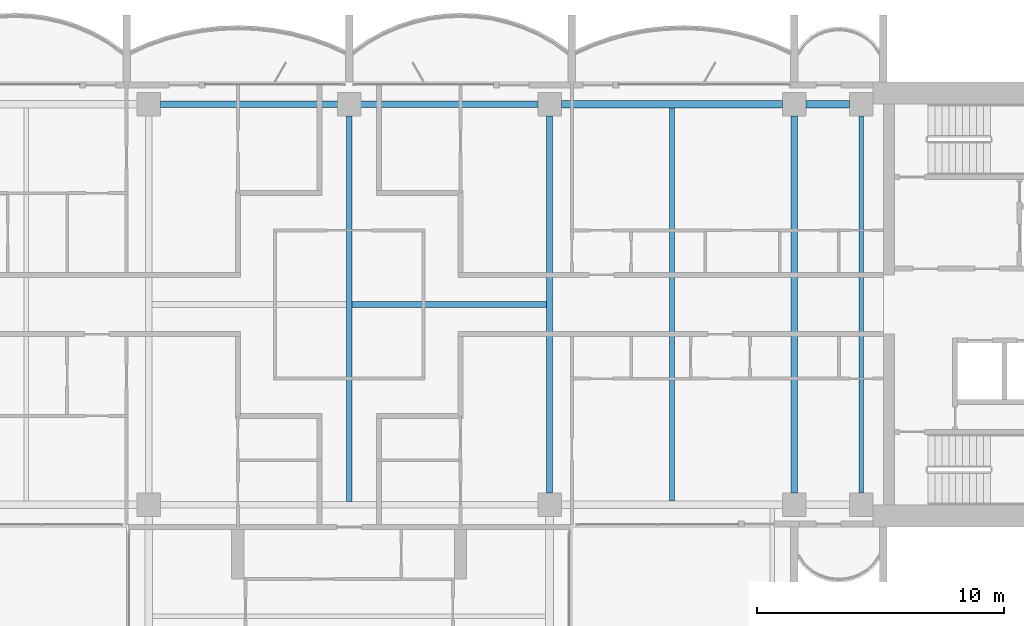
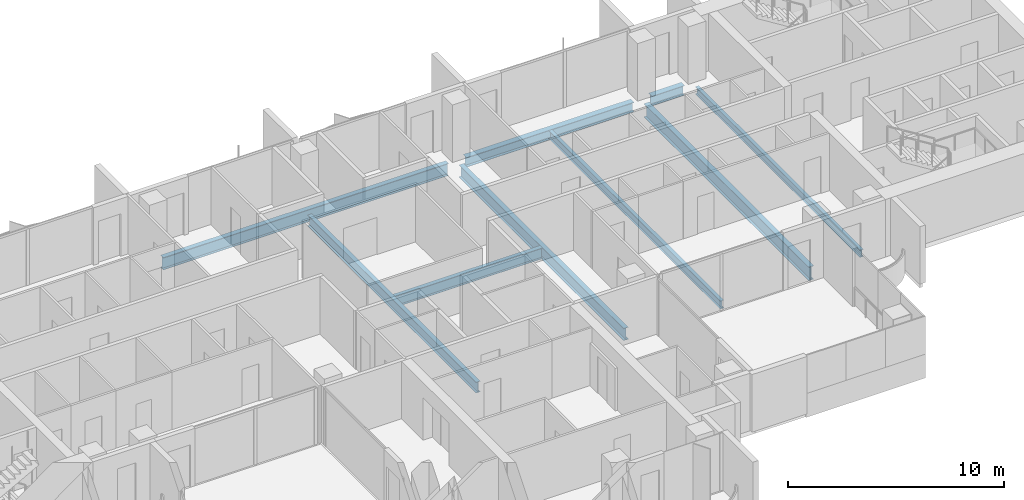
# One storey, part 4 of 17: 9 beams.
"""IFC4 building model written with IfcOpenShell, lengths in metres."""

import ifcopenshell
import ifcopenshell.guid

model = None  # the IFC model being written
_history = None  # IfcOwnerHistory: only IFC2X3 demands one
_inside = {}  # id of a spatial element -> (the spatial element, [elements in it])
_under = {}  # id of a project, library or spatial element -> (it, [spatial elements below it])
_declared = {}  # id of a project -> (the project, [libraries it declares])
_typed = {}  # id of a type object -> (the type object, [elements of that type])
_made_of = {}  # id of a material, layer set ... -> (it, [elements and type objects made of it])


def new_model(schema):
    """Start an empty IFC model of exactly this schema.

    Asked for "IFC4X3", IfcOpenShell would pick the latest addendum, in which some entities
    have other attributes; the version numbers below select the first issue.
    IFC2X3 requires an IfcOwnerHistory on every rooted entity: one is made here for all.
    """
    global model, _history
    if schema == "IFC4X3":
        model = ifcopenshell.file(schema_version=(4, 3, 0, 0))
    else:
        model = ifcopenshell.file(schema=schema)
    _inside.clear()
    _under.clear()
    _declared.clear()
    _typed.clear()
    _made_of.clear()
    _history = None
    if model.schema == "IFC2X3":
        org = make("IfcOrganization", Name="unknown")
        user = make(
            "IfcPersonAndOrganization",
            ThePerson=make("IfcPerson", FamilyName="unknown"),
            TheOrganization=org,
        )
        app = make(
            "IfcApplication",
            ApplicationDeveloper=org,
            Version="unknown",
            ApplicationFullName="unknown",
            ApplicationIdentifier="unknown",
        )
        _history = make(
            "IfcOwnerHistory",
            OwningUser=user,
            OwningApplication=app,
            ChangeAction="ADDED",
            CreationDate=0,
        )
    return model


def make(cls, **values):
    """One entity of the class cls with the attributes given. An attribute that is None is left unset."""
    return model.create_entity(
        cls, **{name: value for name, value in values.items() if value is not None}
    )


def rooted(cls, **values):
    """An entity with a GlobalId (a new one), such as an element, a storey or a relation."""
    return make(cls, GlobalId=ifcopenshell.guid.new(), OwnerHistory=_history, **values)


def si_unit(unit_type, name, prefix=None):
    """IfcSIUnit, for example si_unit("LENGTHUNIT", "METRE", prefix="MILLI")."""
    return make("IfcSIUnit", UnitType=unit_type, Prefix=prefix, Name=name)


def assignment(units):
    """IfcUnitAssignment: the units of a project."""
    return None if units is None else make("IfcUnitAssignment", Units=units)


def point(xyz):
    """IfcCartesianPoint."""
    return None if xyz is None else make("IfcCartesianPoint", Coordinates=xyz)


def direction(xyz):
    """IfcDirection."""
    return None if xyz is None else make("IfcDirection", DirectionRatios=xyz)


def frame(location, z_axis=None, x_axis=None):
    """IfcAxis2Placement3D, a coordinate frame: its origin and axes. An axis left out is left unset."""
    return make(
        "IfcAxis2Placement3D",
        Location=point(location),
        Axis=direction(z_axis),
        RefDirection=direction(x_axis),
    )


def frame_2d(location, x_axis=None):
    """IfcAxis2Placement2D, a coordinate frame in the plane: its origin and x axis."""
    return make(
        "IfcAxis2Placement2D", Location=point(location), RefDirection=direction(x_axis)
    )


def origin():
    """The frame at (0, 0, 0) with its axes left unset."""
    return frame((0.0, 0.0, 0.0))


def origin_2d():
    """The frame at (0, 0) in the plane with its x axis left unset."""
    return frame_2d((0.0, 0.0))


def place(relative_to, where):
    """IfcLocalPlacement: puts the frame where relative to a parent placement (None: the world)."""
    return make(
        "IfcLocalPlacement", PlacementRelTo=relative_to, RelativePlacement=where
    )


def context(
    kind, dimensions, precision=None, world=None, true_north=None, identifier=None
):
    """IfcGeometricRepresentationContext, for example the 3D "Model" context."""
    return make(
        "IfcGeometricRepresentationContext",
        ContextIdentifier=identifier,
        ContextType=kind,
        CoordinateSpaceDimension=dimensions,
        Precision=precision,
        WorldCoordinateSystem=world,
        TrueNorth=true_north,
    )


def subcontext(parent, identifier, kind, view, scale=None):
    """IfcGeometricRepresentationSubContext, for example "Body" below "Model"."""
    return make(
        "IfcGeometricRepresentationSubContext",
        ContextIdentifier=identifier,
        ContextType=kind,
        ParentContext=parent,
        TargetScale=scale,
        TargetView=view,
    )


def project(units=None, contexts=None):
    """IfcProject with its units and contexts."""
    return rooted(
        "IfcProject",
        Name="project",
        RepresentationContexts=contexts,
        UnitsInContext=assignment(units),
    )


def spatial(cls, under=None, at=None, **own):
    """A site, building, storey or space (cls), placed at a placement, below another one or the project."""
    s = rooted(cls, ObjectPlacement=at, **own)
    if under is not None:
        _under.setdefault(under.id(), (under, []))[1].append(s)
    return s


def profile(cls, at=None, kind="AREA", **sizes):
    """A parametric profile (cls). Its sizes go by their IFC names, for example OverallWidth=200.0."""
    return make(cls, ProfileType=kind, Position=at, **sizes)


def i_section(**sizes):
    """IfcIShapeProfileDef."""
    return profile("IfcIShapeProfileDef", **sizes)


def extrude(swept, where, along, depth):
    """IfcExtrudedAreaSolid: the profile swept, set in the frame where, extruded along a direction by depth."""
    return make(
        "IfcExtrudedAreaSolid",
        SweptArea=swept,
        Position=where,
        ExtrudedDirection=direction(along),
        Depth=depth,
    )


def shape(context_of_items, identifier, shape_type, items):
    """IfcShapeRepresentation: the items that make up one representation, for example the "Body"."""
    return make(
        "IfcShapeRepresentation",
        ContextOfItems=context_of_items,
        RepresentationIdentifier=identifier,
        RepresentationType=shape_type,
        Items=items,
    )


def material(Name=None, Category=None):
    """IfcMaterial."""
    return make("IfcMaterial", Name=Name, Category=Category)


def material_profile(
    of_material, cross_section, Name=None, Category=None, Priority=None
):
    """IfcMaterialProfile: a cross section and its material."""
    return make(
        "IfcMaterialProfile",
        Name=Name,
        Material=of_material,
        Profile=cross_section,
        Priority=Priority,
        Category=Category,
    )


def profile_set(profiles, Name=None, composite=None):
    """IfcMaterialProfileSet."""
    return make(
        "IfcMaterialProfileSet",
        Name=Name,
        MaterialProfiles=profiles,
        CompositeProfile=composite,
    )


def made_of(thing, what):
    """Note that an element or type object is made of a material, layer set ...; save() writes the relation."""
    if what is not None:
        _made_of.setdefault(what.id(), (what, []))[1].append(thing)
    return thing


def type_object(cls, material=None, **own):
    """A type object (cls), such as IfcWallType, which elements share."""
    return made_of(rooted(cls, **own), material)


def element(
    cls,
    number,
    at=None,
    inside=None,
    cuts=None,
    type_object=None,
    material=None,
    context=None,
    identifier="Body",
    shape_type=None,
    held_by="IfcProductDefinitionShape",
    body=None,
    shapes=None,
    **own,
):
    """One element of the class cls, such as IfcWall. Its Tag is "e" and its number.

    at: its placement. inside: the storey or other place that contains it. cuts: it is an
    opening in that element (IfcRelVoidsElement). A single representation is given by context,
    identifier, shape_type and body (its items); several are given by shapes. held_by: the class
    of the entity that holds the representations. save() writes the other relations.
    """
    e = rooted(cls, Tag="e%d" % number, ObjectPlacement=at, **own)
    if body is not None:
        shapes = [shape(context, identifier, shape_type, body)]
    if shapes is not None:
        e.Representation = make(held_by, Representations=shapes)
    if inside is not None:
        _inside.setdefault(inside.id(), (inside, []))[1].append(e)
    if cuts is not None:
        rooted(
            "IfcRelVoidsElement", RelatingBuildingElement=cuts, RelatedOpeningElement=e
        )
    if type_object is not None:
        _typed.setdefault(type_object.id(), (type_object, []))[1].append(e)
    return made_of(e, material)


def aggregate(whole, parts):
    """IfcRelAggregates: a whole, such as a stair, and the parts it consists of."""
    return rooted("IfcRelAggregates", RelatingObject=whole, RelatedObjects=parts)


def save(model, path):
    """Write the relations noted so far, then the file.

    IfcRelAggregates (storeys below a building ...), IfcRelContainedInSpatialStructure (elements
    in a storey), IfcRelDefinesByType, IfcRelAssociatesMaterial and IfcRelDeclares: one each for
    every whole, place, type object, material and project.
    """
    for whole, parts in _under.values():
        aggregate(whole, parts)
    for where, things in _inside.values():
        rooted(
            "IfcRelContainedInSpatialStructure",
            RelatedElements=things,
            RelatingStructure=where,
        )
    for kind, things in _typed.values():
        rooted("IfcRelDefinesByType", RelatedObjects=things, RelatingType=kind)
    for what, things in _made_of.values():
        rooted("IfcRelAssociatesMaterial", RelatedObjects=things, RelatingMaterial=what)
    for by, libraries in _declared.values():
        rooted("IfcRelDeclares", RelatingContext=by, RelatedDefinitions=libraries)
    model.write(path)


model = new_model("IFC4")

# Units and contexts
model_context = context("Model", 3, precision=1e-05, world=origin(), true_north=direction((0.0, 1.0)))
body_context = subcontext(model_context, "Body", "Model", "MODEL_VIEW")
ifc_project = project(units=[si_unit("LENGTHUNIT", "METRE"), si_unit("AREAUNIT", "SQUARE_METRE"), si_unit("VOLUMEUNIT", "CUBIC_METRE"), si_unit("PLANEANGLEUNIT", "RADIAN"), si_unit("MASSUNIT", "GRAM", prefix="KILO")], contexts=[model_context])

# Site, building, storey
site_placement = place(None, origin())
site = spatial("IfcSite", under=ifc_project, at=site_placement, CompositionType="ELEMENT")
building_placement = place(site_placement, origin())
building = spatial("IfcBuilding", under=site, at=building_placement, Name="Perihelion Cross Residences", CompositionType="ELEMENT")
storey_placement = place(building_placement, frame((0.0, 0.0, 194.60009765625)))
storey = spatial("IfcBuildingStorey", under=building, at=storey_placement, Name="L48", CompositionType="ELEMENT", Elevation=194.60009765625)

# Beams
ifc_material_1 = material(Name="Steel S355", Category="steel")
ifc_material_profile_1 = material_profile(ifc_material_1, i_section(OverallWidth=0.180908203125, OverallDepth=0.4169921875, WebThickness=0.010986328125, FlangeThickness=0.018310546875, at=origin_2d()), Name="W410x85")
ifc_profile_set_1 = profile_set([ifc_material_profile_1], Name="Steel S355")
beam_type_1 = type_object("IfcBeamType", Name="Core edge beam W410x85", PredefinedType="BEAM", material=ifc_profile_set_1)
beam_1_placement = place(storey_placement, frame((20.699951171875, -7.625, -0.45849609375), z_axis=(0.0, 1.0, 0.0), x_axis=(-1.0, 0.0, 0.0)))
element("IfcBeam", 1, at=beam_1_placement, inside=storey, type_object=beam_type_1, Name="Core edge beam TB6 L48 no. 2", PredefinedType="BEAM", context=body_context, shape_type="SweptSolid", body=[
    extrude(i_section(OverallWidth=0.180908203125, OverallDepth=0.4169921875, WebThickness=0.010986328125, FlangeThickness=0.018310546875, at=origin_2d()), origin(), (0.0, 0.0, 1.0), 15.25),
])
ifc_material_2 = material(Name="Steel S355", Category="steel")
ifc_material_profile_2 = material_profile(ifc_material_2, i_section(OverallWidth=0.31201171875, OverallDepth=0.5439453125, WebThickness=0.0126953125, FlangeThickness=0.020263671875, at=origin_2d()), Name="W530x150")
ifc_profile_set_2 = profile_set([ifc_material_profile_2], Name="Steel S355")
beam_type_2 = type_object("IfcBeamType", Name="Edge beam W530x150", PredefinedType="SPANDREL", material=ifc_profile_set_2)
beam_2_placement = place(storey_placement, frame((20.22509765625, 8.10009765625, -0.522216796875), z_axis=(-1.0, 0.0, 0.0), x_axis=(0.0, -1.0, 0.0)))
element("IfcBeam", 2, at=beam_2_placement, inside=storey, type_object=beam_type_2, Name="Edge beam SB4 L48 no. 10", PredefinedType="SPANDREL", context=body_context, shape_type="SweptSolid", body=[
    extrude(i_section(OverallWidth=0.31201171875, OverallDepth=0.5439453125, WebThickness=0.0126953125, FlangeThickness=0.020263671875, at=origin_2d()), origin(), (0.0, 0.0, 1.0), 1.75),
])
beam_3_placement = place(storey_placement, frame((17.52490234375, 8.10009765625, -0.522216796875), z_axis=(-1.0, 0.0, 0.0), x_axis=(0.0, -1.0, 0.0)))
element("IfcBeam", 3, at=beam_3_placement, inside=storey, type_object=beam_type_2, Name="Edge beam SB4 L48 no. 9", PredefinedType="SPANDREL", context=body_context, shape_type="SweptSolid", body=[
    extrude(i_section(OverallWidth=0.31201171875, OverallDepth=0.5439453125, WebThickness=0.0126953125, FlangeThickness=0.020263671875, at=origin_2d()), origin(), (0.0, 0.0, 1.0), 8.949951171875),
])
ifc_material_3 = material(Name="Steel S355", Category="steel")
ifc_material_profile_3 = material_profile(ifc_material_3, i_section(OverallWidth=0.26708984375, OverallDepth=0.77001953125, WebThickness=0.015625, FlangeThickness=0.025390625, at=origin_2d()), Name="W760x196")
ifc_profile_set_3 = profile_set([ifc_material_profile_3], Name="Steel S355")
beam_type_3 = type_object("IfcBeamType", Name="Floor girder W760x196", PredefinedType="BEAM", material=ifc_profile_set_3)
beam_4_placement = place(storey_placement, frame((18.0, -7.625, -0.635009765625), z_axis=(0.0, 1.0, 0.0), x_axis=(-1.0, 0.0, 0.0)))
element("IfcBeam", 4, at=beam_4_placement, inside=storey, type_object=beam_type_3, Name="Girder G4 L48 no. 2", PredefinedType="BEAM", context=body_context, shape_type="SweptSolid", body=[
    extrude(i_section(OverallWidth=0.26708984375, OverallDepth=0.77001953125, WebThickness=0.015625, FlangeThickness=0.025390625, at=origin_2d()), origin(), (0.0, 0.0, 1.0), 15.25),
])
ifc_material_4 = material(Name="Steel S355", Category="steel")
ifc_material_profile_4 = material_profile(ifc_material_4, i_section(OverallWidth=0.19091796875, OverallDepth=0.45703125, WebThickness=0.009033203125, FlangeThickness=0.014404296875, at=origin_2d()), Name="W460x74")
ifc_profile_set_4 = profile_set([ifc_material_profile_4], Name="Steel S355")
beam_type_4 = type_object("IfcBeamType", Name="Floor joist W460x74", PredefinedType="JOIST", material=ifc_profile_set_4)
beam_5_placement = place(storey_placement, frame((13.050048828125, -7.944091796875, -0.478515625), z_axis=(0.0, 1.0, 0.0), x_axis=(-1.0, 0.0, 0.0)))
element("IfcBeam", 5, at=beam_5_placement, inside=storey, type_object=beam_type_4, Name="Joist J5 L48 no. 2", PredefinedType="JOIST", context=body_context, shape_type="SweptSolid", body=[
    extrude(i_section(OverallWidth=0.19091796875, OverallDepth=0.45703125, WebThickness=0.009033203125, FlangeThickness=0.014404296875, at=origin_2d()), origin(), (0.0, 0.0, 1.0), 15.88818359375),
])
ifc_material_5 = material(Name="Steel S355", Category="steel")
ifc_material_profile_5 = material_profile(ifc_material_5, i_section(OverallWidth=0.22900390625, OverallDepth=0.612060546875, WebThickness=0.011962890625, FlangeThickness=0.01953125, at=origin_2d()), Name="W610x125")
ifc_profile_set_5 = profile_set([ifc_material_profile_5], Name="Steel S355")
beam_type_5 = type_object("IfcBeamType", Name="Hub cross beam W610x125", PredefinedType="BEAM", material=ifc_profile_set_5)
beam_6_placement = place(storey_placement, frame((0.0, -7.971435546875, -0.55615234375), z_axis=(0.0, 1.0, 0.0), x_axis=(-1.0, 0.0, 0.0)))
element("IfcBeam", 6, at=beam_6_placement, inside=storey, type_object=beam_type_5, Name="Hub cross beam XB4 L48 no. 1", PredefinedType="BEAM", context=body_context, shape_type="SweptSolid", body=[
    extrude(i_section(OverallWidth=0.22900390625, OverallDepth=0.612060546875, WebThickness=0.011962890625, FlangeThickness=0.01953125, at=origin_2d()), origin(), (0.0, 0.0, 1.0), 15.596435546875),
])
beam_7_placement = place(storey_placement, frame((0.114501953125, 0.0, -0.55615234375), z_axis=(1.0, 0.0, 0.0), x_axis=(0.0, 1.0, 0.0)))
element("IfcBeam", 7, at=beam_7_placement, inside=storey, type_object=beam_type_5, Name="Hub cross beam XB4 L48 2 no. 1", PredefinedType="BEAM", context=body_context, shape_type="SweptSolid", body=[
    extrude(i_section(OverallWidth=0.22900390625, OverallDepth=0.612060546875, WebThickness=0.011962890625, FlangeThickness=0.01953125, at=origin_2d()), origin(), (0.0, 0.0, 1.0), 7.85693359375),
])
ifc_material_6 = material(Name="Steel S355", Category="steel")
ifc_material_profile_6 = material_profile(ifc_material_6, i_section(OverallWidth=0.257080078125, OverallDepth=0.693115234375, WebThickness=0.014404296875, FlangeThickness=0.023681640625, at=origin_2d()), Name="W690x170")
ifc_profile_set_6 = profile_set([ifc_material_profile_6], Name="Steel S355")
beam_type_6 = type_object("IfcBeamType", Name="Hub ring girder W690x170", PredefinedType="BEAM", material=ifc_profile_set_6)
for number, where, z_axis, x_axis, name in (
    (8, (8.10009765625, -7.625, -0.5966796875), (0.0, 1.0, 0.0), (-1.0, 0.0, 0.0), "Hub ring girder RG4 L48 no. 3"),
    (9, (7.625, 8.10009765625, -0.5966796875), (-1.0, 0.0, 0.0), (0.0, -1.0, 0.0), "Hub ring girder RG4 L48 no. 4"),
):
    element("IfcBeam", number, at=place(storey_placement, frame(where, z_axis=z_axis, x_axis=x_axis)), inside=storey, type_object=beam_type_6, Name=name, PredefinedType="BEAM", context=body_context, shape_type="SweptSolid", body=[
        extrude(i_section(OverallWidth=0.257080078125, OverallDepth=0.693115234375, WebThickness=0.014404296875, FlangeThickness=0.023681640625, at=origin_2d()), origin(), (0.0, 0.0, 1.0), 15.25),
    ])

save(model, "model.ifc")
